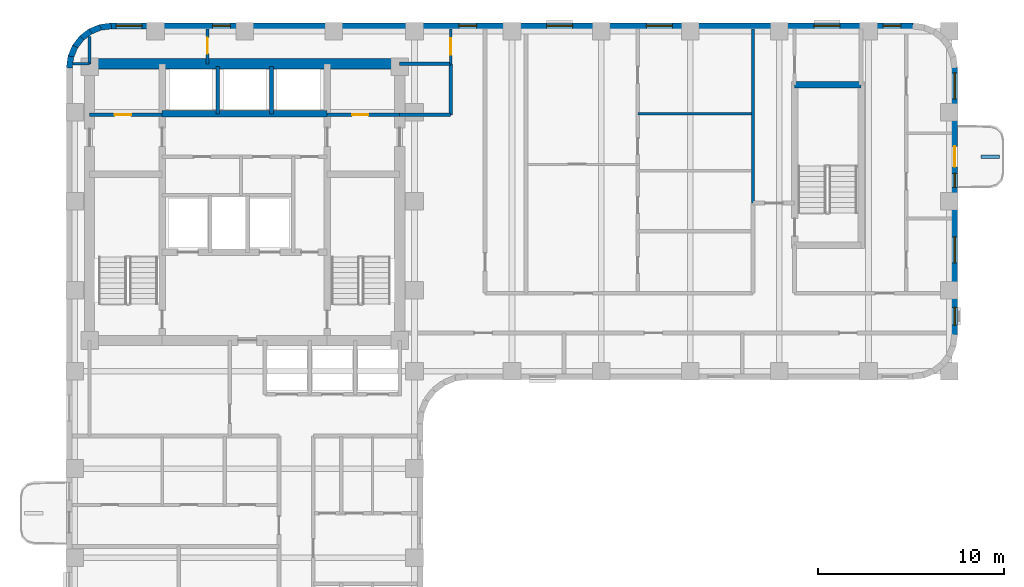
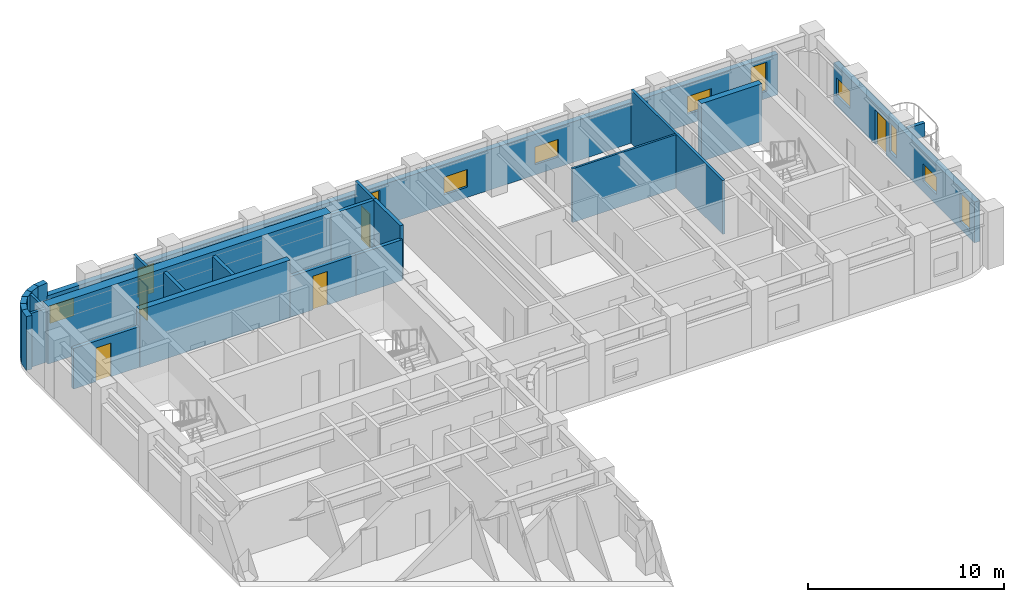
# One storey, part 6 of 10: 25 walls, 11 windows, 5 doors, 16 openings.
"""IFC4 building model written with IfcOpenShell, lengths in metres."""

from ifc_helpers import new_model, si_unit, direction, frame, frame_2d, origin, place, context, subcontext, project, spatial, rectangle, extrude, material, layer, layer_set, type_object, element, fill, save


model = new_model("IFC4")

# Units and contexts
model_context = context("Model", 3, precision=1e-05, world=origin(), true_north=direction((0.0, 1.0)))
body_context = subcontext(model_context, "Body", "Model", "MODEL_VIEW")
ifc_project = project(units=[si_unit("LENGTHUNIT", "METRE"), si_unit("AREAUNIT", "SQUARE_METRE"), si_unit("VOLUMEUNIT", "CUBIC_METRE"), si_unit("PLANEANGLEUNIT", "RADIAN"), si_unit("MASSUNIT", "GRAM", prefix="KILO")], contexts=[model_context])

# Site, building, storey
site_placement = place(None, origin())
site = spatial("IfcSite", under=ifc_project, at=site_placement, CompositionType="ELEMENT")
building_placement = place(site_placement, origin())
building = spatial("IfcBuilding", under=site, at=building_placement, Name="Orvandelia Arch Residences", CompositionType="ELEMENT")
storey_placement = place(building_placement, frame((0.0, 0.0, 132.39990234375)))
storey = spatial("IfcBuildingStorey", under=building, at=storey_placement, Name="L34", CompositionType="ELEMENT", Elevation=132.39990234375)

# Walls
ifc_material_1 = material(Name="Concrete C50/60", Category="concrete")
ifc_layer_1 = layer(ifc_material_1, 0.35009765625, Name="Concrete C50/60", Category="concrete")
ifc_layer_set_1 = layer_set([ifc_layer_1], Name="Concrete C50/60")
wall_type_1 = type_object("IfcWallType", Name="WL-CORE-350", PredefinedType="SHEAR", material=ifc_layer_set_1)
wall_1_placement = place(storey_placement, frame((9.9599609375, 43.10009765625, 0.0), z_axis=(0.0, 0.0, 1.0), x_axis=(1.0, 0.0, 0.0)))
element("IfcWall", 1, at=wall_1_placement, inside=storey, type_object=wall_type_1, Name="Core Shear Wall L34-HZ4", PredefinedType="SHEAR", context=body_context, shape_type="SweptSolid", body=[
    extrude(rectangle(XDim=8.880126953125, YDim=0.35009765625, at=frame_2d((4.43994140625, 0.0))), origin(), (0.0, 0.0, 1.0), 3.60009765625),
])
wall_2_placement = place(storey_placement, frame((44.02001953125, 44.659912109375, 0.0), z_axis=(0.0, 0.0, 1.0), x_axis=(1.0, 0.0, 0.0)))
element("IfcWall", 2, at=wall_2_placement, inside=storey, type_object=wall_type_1, Name="East Stair Core Shear Wall L34-N", PredefinedType="SHEAR", context=body_context, shape_type="SweptSolid", body=[
    extrude(rectangle(XDim=3.580078125, YDim=0.35009765625, at=frame_2d((1.7900390625, 0.0))), origin(), (0.0, 0.0, 1.0), 3.60009765625),
])
ifc_material_2 = material(Name="Concrete C60/75", Category="concrete")
ifc_layer_2 = layer(ifc_material_2, 0.550048828125, Name="Concrete C60/75", Category="concrete")
ifc_layer_set_2 = layer_set([ifc_layer_2], Name="Concrete C60/75")
wall_type_2 = type_object("IfcWallType", Name="WL-CORE-550", PredefinedType="SHEAR", material=ifc_layer_set_2)
wall_3_placement = place(storey_placement, frame((6.050048828125, 45.800048828125, 0.0), z_axis=(0.0, 0.0, 1.0), x_axis=(1.0, 0.0, 0.0)))
element("IfcWall", 3, at=wall_3_placement, inside=storey, type_object=wall_type_2, Name="Core Shear Wall L34-N", PredefinedType="SHEAR", context=body_context, shape_type="SweptSolid", body=[
    extrude(rectangle(XDim=16.699951171875, YDim=0.550048828125, at=frame_2d((8.35009765625, 0.0))), origin(), (0.0, 0.0, 1.0), 3.60009765625),
])
ifc_material_3 = material(Name="Fire-Rated Corridor Partition")
ifc_layer_3 = layer(ifc_material_3, 0.199951171875, Name="Fire-Rated Corridor Partition")
ifc_layer_set_3 = layer_set([ifc_layer_3], Name="Fire-Rated Corridor Partition")
wall_type_3 = type_object("IfcWallType", Name="WL-CORR-200", PredefinedType="PARTITIONING", material=ifc_layer_set_3)
wall_4_placement = place(storey_placement, frame((22.75, 45.800048828125, 0.0), z_axis=(0.0, 0.0, 1.0), x_axis=(1.0, 0.0, 0.0)))
element("IfcWall", 4, at=wall_4_placement, inside=storey, type_object=wall_type_3, Name="Interior Partition Wall WL-L34-NCE-S", PredefinedType="PARTITIONING", context=body_context, shape_type="SweptSolid", body=[
    extrude(rectangle(XDim=2.75, YDim=0.199951171875, at=frame_2d((1.375, 0.0))), origin(), (0.0, 0.0, 1.0), 3.360107421875),
])
wall_5_placement = place(storey_placement, frame((22.75, 43.050048828125, 0.0), z_axis=(0.0, 0.0, 1.0), x_axis=(1.0, 0.0, 0.0)))
element("IfcWall", 5, at=wall_5_placement, inside=storey, type_object=wall_type_3, Name="Interior Partition Wall WL-L34-ES-LS", PredefinedType="PARTITIONING", context=body_context, shape_type="SweptSolid", body=[
    extrude(rectangle(XDim=2.75, YDim=0.199951171875, at=frame_2d((1.375, 0.0))), origin(), (0.0, 0.0, 1.0), 2.5400390625),
])
wall_6_placement = place(storey_placement, frame((25.5, 43.050048828125, 0.0), z_axis=(0.0, 0.0, 1.0), x_axis=(0.0, 1.0, 0.0)))
element("IfcWall", 6, at=wall_6_placement, inside=storey, type_object=wall_type_3, Name="Interior Partition Wall WL-L34-ES-LW2", PredefinedType="PARTITIONING", context=body_context, shape_type="SweptSolid", body=[
    extrude(rectangle(XDim=2.75, YDim=0.199951171875, at=frame_2d((1.375, 0.0))), origin(), (0.0, 0.0, 1.0), 3.360107421875),
])
ifc_material_4 = material(Name="Precast concrete C40/50", Category="concrete")
ifc_layer_4 = layer(ifc_material_4, 0.320068359375, Name="Precast concrete C40/50", Category="concrete")
ifc_layer_set_4 = layer_set([ifc_layer_4], Name="Precast concrete C40/50")
wall_type_4 = type_object("IfcWallType", Name="WL-EXT-STONE-320", PredefinedType="STANDARD", material=ifc_layer_set_4)
for number, where, z_axis, x_axis, name in (
    (7, (4.95849609375, 45.5791015625, 0.0), (0.0, 0.0, 1.0), (0.130555323746, 0.9914410257, 0.0), "Coral-Limestone Precast Facade Wall L34-001"),
    (8, (5.029541015625, 46.159912109375, 0.0), (0.0, 0.0, 1.0), (0.382650053678, 0.92389335771, 0.0), "Coral-Limestone Precast Facade Wall L34-002"),
):
    element("IfcWall", number, at=place(storey_placement, frame(where, z_axis=z_axis, x_axis=x_axis)), inside=storey, type_object=wall_type_4, Name=name, PredefinedType="STANDARD", context=body_context, shape_type="SweptSolid", body=[
        extrude(rectangle(XDim=0.62646484375, YDim=0.320068359375, at=frame_2d((0.313232421875, 0.0))), origin(), (0.0, 0.0, 1.0), 3.360107421875),
    ])
wall_7_placement = place(storey_placement, frame((5.248291015625, 46.70263671875, 0.0), z_axis=(0.0, 0.0, 1.0), x_axis=(0.608938521285, 0.7932174212, 0.0)))
element("IfcWall", 9, at=wall_7_placement, inside=storey, type_object=wall_type_4, Name="Coral-Limestone Precast Facade Wall L34-003", PredefinedType="STANDARD", context=body_context, shape_type="SweptSolid", body=[
    extrude(rectangle(XDim=0.626708984375, YDim=0.320068359375, at=frame_2d((0.3134765625, 0.0))), origin(), (0.0, 0.0, 1.0), 3.360107421875),
])
wall_8_placement = place(storey_placement, frame((5.600341796875, 47.170166015625, 0.0), z_axis=(0.0, 0.0, 1.0), x_axis=(0.793405610854, 0.608693302629, 0.0)))
element("IfcWall", 10, at=wall_8_placement, inside=storey, type_object=wall_type_4, Name="Coral-Limestone Precast Facade Wall L34-004", PredefinedType="STANDARD", context=body_context, shape_type="SweptSolid", body=[
    extrude(rectangle(XDim=0.62646484375, YDim=0.320068359375, at=frame_2d((0.313232421875, 0.0))), origin(), (0.0, 0.0, 1.0), 3.360107421875),
])
wall_9_placement = place(storey_placement, frame((6.061279296875, 47.53076171875, 0.0), z_axis=(0.0, 0.0, 1.0), x_axis=(0.923836271867, 0.382787856107, 0.0)))
element("IfcWall", 11, at=wall_9_placement, inside=storey, type_object=wall_type_4, Name="Coral-Limestone Precast Facade Wall L34-005", PredefinedType="STANDARD", context=body_context, shape_type="SweptSolid", body=[
    extrude(rectangle(XDim=0.626220703125, YDim=0.320068359375, at=frame_2d((0.31298828125, 0.0))), origin(), (0.0, 0.0, 1.0), 3.360107421875),
])
wall_10_placement = place(storey_placement, frame((6.599609375, 47.759521484375, 0.0), z_axis=(0.0, 0.0, 1.0), x_axis=(0.991447664465, 0.130504898859, 0.0)))
element("IfcWall", 12, at=wall_10_placement, inside=storey, type_object=wall_type_4, Name="Coral-Limestone Precast Facade Wall L34-006", PredefinedType="STANDARD", context=body_context, shape_type="SweptSolid", body=[
    extrude(rectangle(XDim=0.626708984375, YDim=0.320068359375, at=frame_2d((0.3134765625, 0.0))), origin(), (0.0, 0.0, 1.0), 3.360107421875),
])

# Wall, openings, windows
wall_11_placement = place(storey_placement, frame((7.199951171875, 47.840087890625, 0.0), z_axis=(0.0, 0.0, 1.0), x_axis=(1.0, 0.0, 0.0)))
wall_11 = element("IfcWall", 13, at=wall_11_placement, inside=storey, type_object=wall_type_4, Name="Coral-Limestone Precast Facade Wall L34-007", PredefinedType="STANDARD", context=body_context, shape_type="SweptSolid", body=[
    extrude(rectangle(XDim=43.199951171875, YDim=0.320068359375, at=frame_2d((21.60009765625, 0.0))), origin(), (0.0, 0.0, 1.0), 2.5400390625),
])
opening_1_placement = place(wall_11_placement, frame((28.841064453125, 0.0, 0.64990234375)))
opening_1 = element("IfcOpeningElement", 14, at=opening_1_placement, cuts=wall_11, Name="Opening W10", PredefinedType="OPENING", context=body_context, shape_type="SweptSolid", body=[
    extrude(rectangle(XDim=1.39990234375, YDim=1.10009765625, at=frame_2d((0.699951171875, 0.550048828125))), frame((0.0, 0.169921875, 0.0), z_axis=(0.0, -1.0, 0.0), x_axis=(1.0, 0.0, 0.0)), (0.0, 0.0, 1.0), 0.340087890625),
])
opening_2_placement = place(wall_11_placement, frame((18.739990234375, 0.0, 0.449951171875)))
opening_2 = element("IfcOpeningElement", 15, at=opening_2_placement, cuts=wall_11, Name="Opening W4", PredefinedType="OPENING", context=body_context, shape_type="SweptSolid", body=[
    extrude(rectangle(XDim=0.949951171875, YDim=1.800048828125, at=frame_2d((0.47509765625, 0.89990234375))), frame((0.0, 0.169921875, 0.0), z_axis=(0.0, -1.0, 0.0), x_axis=(1.0, 0.0, 0.0)), (0.0, 0.0, 1.0), 0.340087890625),
])
opening_3_placement = place(wall_11_placement, frame((37.862548828125, 0.0, 0.64990234375)))
opening_3 = element("IfcOpeningElement", 16, at=opening_3_placement, cuts=wall_11, Name="Opening W10", PredefinedType="OPENING", context=body_context, shape_type="SweptSolid", body=[
    extrude(rectangle(XDim=1.39990234375, YDim=1.10009765625, at=frame_2d((0.699951171875, 0.550048828125))), frame((0.0, 0.169921875, 0.0), z_axis=(0.0, -1.0, 0.0), x_axis=(1.0, 0.0, 0.0)), (0.0, 0.0, 1.0), 0.340087890625),
])
opening_4_placement = place(wall_11_placement, frame((0.282470703125, 0.0, 0.64990234375)))
opening_4 = element("IfcOpeningElement", 17, at=opening_4_placement, cuts=wall_11, Name="Opening W10", PredefinedType="OPENING", context=body_context, shape_type="SweptSolid", body=[
    extrude(rectangle(XDim=1.39990234375, YDim=1.10009765625, at=frame_2d((0.699951171875, 0.550048828125))), frame((0.0, 0.169921875, 0.0), z_axis=(0.0, -1.0, 0.0), x_axis=(1.0, 0.0, 0.0)), (0.0, 0.0, 1.0), 0.340087890625),
])
opening_5_placement = place(wall_11_placement, frame((5.4775390625, 0.0, 0.449951171875)))
opening_5 = element("IfcOpeningElement", 18, at=opening_5_placement, cuts=wall_11, Name="Opening W4", PredefinedType="OPENING", context=body_context, shape_type="SweptSolid", body=[
    extrude(rectangle(XDim=0.949951171875, YDim=1.800048828125, at=frame_2d((0.47509765625, 0.89990234375))), frame((0.0, 0.169921875, 0.0), z_axis=(0.0, -1.0, 0.0), x_axis=(1.0, 0.0, 0.0)), (0.0, 0.0, 1.0), 0.340087890625),
])
opening_6_placement = place(wall_11_placement, frame((23.467529296875, 0.0, 0.64990234375)))
opening_6 = element("IfcOpeningElement", 19, at=opening_6_placement, cuts=wall_11, Name="Opening W10", PredefinedType="OPENING", context=body_context, shape_type="SweptSolid", body=[
    extrude(rectangle(XDim=1.39990234375, YDim=1.10009765625, at=frame_2d((0.699951171875, 0.550048828125))), frame((0.0, 0.169921875, 0.0), z_axis=(0.0, -1.0, 0.0), x_axis=(1.0, 0.0, 0.0)), (0.0, 0.0, 1.0), 0.340087890625),
])
opening_7_placement = place(wall_11_placement, frame((41.593994140625, 0.0, 0.449951171875)))
opening_7 = element("IfcOpeningElement", 20, at=opening_7_placement, cuts=wall_11, Name="Opening W4", PredefinedType="OPENING", context=body_context, shape_type="SweptSolid", body=[
    extrude(rectangle(XDim=0.949951171875, YDim=1.800048828125, at=frame_2d((0.47509765625, 0.89990234375))), frame((0.0, 0.169921875, 0.0), z_axis=(0.0, -1.0, 0.0), x_axis=(1.0, 0.0, 0.0)), (0.0, 0.0, 1.0), 0.340087890625),
])
ifc_material_5 = material(Name="Tempered Low-E Insulated Glazing", Category="glass")
window_type_1 = type_object("IfcWindowType", Name="WIN-CLR-1400x1100", PartitioningType="SINGLE_PANEL", PredefinedType="WINDOW", material=ifc_material_5)
window_1_placement = place(opening_1_placement, origin())
window_1 = element("IfcWindow", 21, at=window_1_placement, inside=storey, type_object=window_type_1, Name="Recessed Punched Window L34-001", OverallHeight=1.10009765625, OverallWidth=1.39990234375, PartitioningType="SINGLE_PANEL", PredefinedType="WINDOW", context=body_context, shape_type="SweptSolid", body=[
    extrude(rectangle(XDim=1.39990234375, YDim=1.10009765625, at=frame_2d((0.699951171875, 0.550048828125))), frame((0.0, 0.030029296875, 0.0), z_axis=(0.0, -1.0, 0.0), x_axis=(1.0, 0.0, 0.0)), (0.0, 0.0, 1.0), 0.06005859375),
])
fill(opening_1, window_1)
window_2_placement = place(opening_3_placement, origin())
window_2 = element("IfcWindow", 22, at=window_2_placement, inside=storey, type_object=window_type_1, Name="Recessed Punched Window L34-003", OverallHeight=1.10009765625, OverallWidth=1.39990234375, PartitioningType="SINGLE_PANEL", PredefinedType="WINDOW", context=body_context, shape_type="SweptSolid", body=[
    extrude(rectangle(XDim=1.39990234375, YDim=1.10009765625, at=frame_2d((0.699951171875, 0.550048828125))), frame((0.0, 0.030029296875, 0.0), z_axis=(0.0, -1.0, 0.0), x_axis=(1.0, 0.0, 0.0)), (0.0, 0.0, 1.0), 0.06005859375),
])
fill(opening_3, window_2)
window_3_placement = place(opening_4_placement, origin())
window_3 = element("IfcWindow", 23, at=window_3_placement, inside=storey, type_object=window_type_1, Name="Recessed Punched Window L34-004", OverallHeight=1.10009765625, OverallWidth=1.39990234375, PartitioningType="SINGLE_PANEL", PredefinedType="WINDOW", context=body_context, shape_type="SweptSolid", body=[
    extrude(rectangle(XDim=1.39990234375, YDim=1.10009765625, at=frame_2d((0.699951171875, 0.550048828125))), frame((0.0, 0.030029296875, 0.0), z_axis=(0.0, -1.0, 0.0), x_axis=(1.0, 0.0, 0.0)), (0.0, 0.0, 1.0), 0.06005859375),
])
fill(opening_4, window_3)
window_4_placement = place(opening_6_placement, origin())
window_4 = element("IfcWindow", 24, at=window_4_placement, inside=storey, type_object=window_type_1, Name="Recessed Punched Window L34-006", OverallHeight=1.10009765625, OverallWidth=1.39990234375, PartitioningType="SINGLE_PANEL", PredefinedType="WINDOW", context=body_context, shape_type="SweptSolid", body=[
    extrude(rectangle(XDim=1.39990234375, YDim=1.10009765625, at=frame_2d((0.699951171875, 0.550048828125))), frame((0.0, 0.030029296875, 0.0), z_axis=(0.0, -1.0, 0.0), x_axis=(1.0, 0.0, 0.0)), (0.0, 0.0, 1.0), 0.06005859375),
])
fill(opening_6, window_4)
window_type_2 = type_object("IfcWindowType", Name="WIN-RES-0950x1800", PartitioningType="SINGLE_PANEL", PredefinedType="WINDOW", material=ifc_material_5)
window_5_placement = place(opening_2_placement, origin())
window_5 = element("IfcWindow", 25, at=window_5_placement, inside=storey, type_object=window_type_2, Name="Recessed Punched Window L34-002", OverallHeight=1.800048828125, OverallWidth=0.949951171875, PartitioningType="SINGLE_PANEL", PredefinedType="WINDOW", context=body_context, shape_type="SweptSolid", body=[
    extrude(rectangle(XDim=0.949951171875, YDim=1.800048828125, at=frame_2d((0.47509765625, 0.89990234375))), frame((0.0, 0.030029296875, 0.0), z_axis=(0.0, -1.0, 0.0), x_axis=(1.0, 0.0, 0.0)), (0.0, 0.0, 1.0), 0.06005859375),
])
fill(opening_2, window_5)
window_6_placement = place(opening_5_placement, origin())
window_6 = element("IfcWindow", 26, at=window_6_placement, inside=storey, type_object=window_type_2, Name="Recessed Punched Window L34-005", OverallHeight=1.800048828125, OverallWidth=0.949951171875, PartitioningType="SINGLE_PANEL", PredefinedType="WINDOW", context=body_context, shape_type="SweptSolid", body=[
    extrude(rectangle(XDim=0.949951171875, YDim=1.800048828125, at=frame_2d((0.47509765625, 0.89990234375))), frame((0.0, 0.030029296875, 0.0), z_axis=(0.0, -1.0, 0.0), x_axis=(1.0, 0.0, 0.0)), (0.0, 0.0, 1.0), 0.06005859375),
])
fill(opening_5, window_6)
window_7_placement = place(opening_7_placement, origin())
window_7 = element("IfcWindow", 27, at=window_7_placement, inside=storey, type_object=window_type_2, Name="Recessed Punched Window L34-007", OverallHeight=1.800048828125, OverallWidth=0.949951171875, PartitioningType="SINGLE_PANEL", PredefinedType="WINDOW", context=body_context, shape_type="SweptSolid", body=[
    extrude(rectangle(XDim=0.949951171875, YDim=1.800048828125, at=frame_2d((0.47509765625, 0.89990234375))), frame((0.0, 0.030029296875, 0.0), z_axis=(0.0, -1.0, 0.0), x_axis=(1.0, 0.0, 0.0)), (0.0, 0.0, 1.0), 0.06005859375),
])
fill(opening_7, window_7)

# Wall, openings, door, windows
wall_12_placement = place(storey_placement, frame((52.639892578125, 45.60009765625, 0.0), z_axis=(0.0, 0.0, 1.0), x_axis=(0.0, -1.0, 0.0)))
wall_12 = element("IfcWall", 28, at=wall_12_placement, inside=storey, type_object=wall_type_4, Name="Coral-Limestone Precast Facade Wall L34-014", PredefinedType="STANDARD", context=body_context, shape_type="SweptSolid", body=[
    extrude(rectangle(XDim=14.400146484375, YDim=0.320068359375, at=frame_2d((7.2001953125, 0.0))), origin(), (0.0, 0.0, 1.0), 2.5400390625),
])
opening_8_placement = place(wall_12_placement, frame((4.25, 0.0, 0.0)))
opening_8 = element("IfcOpeningElement", 29, at=opening_8_placement, cuts=wall_12, Name="Opening BD1", PredefinedType="OPENING", context=body_context, shape_type="SweptSolid", body=[
    extrude(rectangle(XDim=1.10009765625, YDim=2.14990234375, at=frame_2d((0.550048828125, 1.074951171875))), frame((0.0, 0.169921875, 0.0), z_axis=(0.0, -1.0, 0.0), x_axis=(1.0, 0.0, 0.0)), (0.0, 0.0, 1.0), 0.340087890625),
])
opening_9_placement = place(wall_12_placement, frame((0.282470703125, 0.0, 0.64990234375)))
opening_9 = element("IfcOpeningElement", 30, at=opening_9_placement, cuts=wall_12, Name="Opening W10", PredefinedType="OPENING", context=body_context, shape_type="SweptSolid", body=[
    extrude(rectangle(XDim=1.39990234375, YDim=1.10009765625, at=frame_2d((0.699951171875, 0.550048828125))), frame((0.0, 0.169921875, 0.0), z_axis=(0.0, -1.0, 0.0), x_axis=(1.0, 0.0, 0.0)), (0.0, 0.0, 1.0), 0.340087890625),
])
opening_10_placement = place(wall_12_placement, frame((12.922607421875, 0.0, 0.449951171875)))
opening_10 = element("IfcOpeningElement", 31, at=opening_10_placement, cuts=wall_12, Name="Opening W4", PredefinedType="OPENING", context=body_context, shape_type="SweptSolid", body=[
    extrude(rectangle(XDim=0.949951171875, YDim=1.800048828125, at=frame_2d((0.47509765625, 0.89990234375))), frame((0.0, 0.169921875, 0.0), z_axis=(0.0, -1.0, 0.0), x_axis=(1.0, 0.0, 0.0)), (0.0, 0.0, 1.0), 0.340087890625),
])
opening_11_placement = place(wall_12_placement, frame((9.119384765625, 0.0, 0.64990234375)))
opening_11 = element("IfcOpeningElement", 32, at=opening_11_placement, cuts=wall_12, Name="Opening W10", PredefinedType="OPENING", context=body_context, shape_type="SweptSolid", body=[
    extrude(rectangle(XDim=1.39990234375, YDim=1.10009765625, at=frame_2d((0.699951171875, 0.550048828125))), frame((0.0, 0.169921875, 0.0), z_axis=(0.0, -1.0, 0.0), x_axis=(1.0, 0.0, 0.0)), (0.0, 0.0, 1.0), 0.340087890625),
])
opening_12_placement = place(wall_12_placement, frame((5.702392578125, 0.0, 0.449951171875)))
opening_12 = element("IfcOpeningElement", 33, at=opening_12_placement, cuts=wall_12, Name="Opening W11", PredefinedType="OPENING", context=body_context, shape_type="SweptSolid", body=[
    extrude(rectangle(XDim=0.75, YDim=1.800048828125, at=frame_2d((0.375, 0.89990234375))), frame((0.0, 0.169921875, 0.0), z_axis=(0.0, -1.0, 0.0), x_axis=(1.0, 0.0, 0.0)), (0.0, 0.0, 1.0), 0.340087890625),
])
ifc_material_6 = material(Name="Thermally Broken Aluminium Glazed Door", Category="aluminium")
door_type_1 = type_object("IfcDoorType", Name="DR-BAL-GLAZ-1100", OperationType="NOTDEFINED", PredefinedType="DOOR", material=ifc_material_6)
door_1_placement = place(opening_8_placement, origin())
door_1 = element("IfcDoor", 34, at=door_1_placement, inside=storey, type_object=door_type_1, Name="Tree Balcony Glazed Door BAL-L34-E1", OperationType="SINGLE_SWING_LEFT", OverallHeight=2.14990234375, OverallWidth=1.10009765625, PredefinedType="DOOR", context=body_context, shape_type="SweptSolid", body=[
    extrude(rectangle(XDim=1.10009765625, YDim=2.14990234375, at=frame_2d((0.550048828125, 1.074951171875))), frame((0.0, 0.02490234375, 0.0), z_axis=(0.0, -1.0, 0.0), x_axis=(1.0, 0.0, 0.0)), (0.0, 0.0, 1.0), 0.050048828125),
])
fill(opening_8, door_1)
window_type_3 = type_object("IfcWindowType", Name="WIN-BED-0750x1800", PartitioningType="SINGLE_PANEL", PredefinedType="WINDOW", material=ifc_material_5)
window_8_placement = place(opening_12_placement, origin())
window_8 = element("IfcWindow", 35, at=window_8_placement, inside=storey, type_object=window_type_3, Name="Recessed Punched Window L34-011", OverallHeight=1.800048828125, OverallWidth=0.75, PartitioningType="SINGLE_PANEL", PredefinedType="WINDOW", context=body_context, shape_type="SweptSolid", body=[
    extrude(rectangle(XDim=0.75, YDim=1.800048828125, at=frame_2d((0.375, 0.89990234375))), frame((0.0, 0.030029296875, 0.0), z_axis=(0.0, -1.0, 0.0), x_axis=(1.0, 0.0, 0.0)), (0.0, 0.0, 1.0), 0.06005859375),
])
fill(opening_12, window_8)
window_9_placement = place(opening_9_placement, origin())
window_9 = element("IfcWindow", 36, at=window_9_placement, inside=storey, type_object=window_type_1, Name="Recessed Punched Window L34-008", OverallHeight=1.10009765625, OverallWidth=1.39990234375, PartitioningType="SINGLE_PANEL", PredefinedType="WINDOW", context=body_context, shape_type="SweptSolid", body=[
    extrude(rectangle(XDim=1.39990234375, YDim=1.10009765625, at=frame_2d((0.699951171875, 0.550048828125))), frame((0.0, 0.030029296875, 0.0), z_axis=(0.0, -1.0, 0.0), x_axis=(1.0, 0.0, 0.0)), (0.0, 0.0, 1.0), 0.06005859375),
])
fill(opening_9, window_9)
window_10_placement = place(opening_11_placement, origin())
window_10 = element("IfcWindow", 37, at=window_10_placement, inside=storey, type_object=window_type_1, Name="Recessed Punched Window L34-010", OverallHeight=1.10009765625, OverallWidth=1.39990234375, PartitioningType="SINGLE_PANEL", PredefinedType="WINDOW", context=body_context, shape_type="SweptSolid", body=[
    extrude(rectangle(XDim=1.39990234375, YDim=1.10009765625, at=frame_2d((0.699951171875, 0.550048828125))), frame((0.0, 0.030029296875, 0.0), z_axis=(0.0, -1.0, 0.0), x_axis=(1.0, 0.0, 0.0)), (0.0, 0.0, 1.0), 0.06005859375),
])
fill(opening_11, window_10)
window_11_placement = place(opening_10_placement, origin())
window_11 = element("IfcWindow", 38, at=window_11_placement, inside=storey, type_object=window_type_2, Name="Recessed Punched Window L34-009", OverallHeight=1.800048828125, OverallWidth=0.949951171875, PartitioningType="SINGLE_PANEL", PredefinedType="WINDOW", context=body_context, shape_type="SweptSolid", body=[
    extrude(rectangle(XDim=0.949951171875, YDim=1.800048828125, at=frame_2d((0.47509765625, 0.89990234375))), frame((0.0, 0.030029296875, 0.0), z_axis=(0.0, -1.0, 0.0), x_axis=(1.0, 0.0, 0.0)), (0.0, 0.0, 1.0), 0.06005859375),
])
fill(opening_10, window_11)

# Walls
ifc_material_7 = material(Name="Lightweight Gypsum Stud Partition")
ifc_layer_5 = layer(ifc_material_7, 0.1201171875, Name="Lightweight Gypsum Stud Partition")
ifc_layer_set_5 = layer_set([ifc_layer_5], Name="Lightweight Gypsum Stud Partition")
wall_type_5 = type_object("IfcWallType", Name="WL-PART-120", PredefinedType="PARTITIONING", material=ifc_layer_set_5)
wall_13_placement = place(storey_placement, frame((35.576904296875, 43.10693359375, 0.0), z_axis=(0.0, 0.0, 1.0), x_axis=(1.0, 0.0, 0.0)))
element("IfcWall", 39, at=wall_13_placement, inside=storey, type_object=wall_type_5, Name="Interior Partition Wall WL-L34-U06-H2", PredefinedType="PARTITIONING", context=body_context, shape_type="SweptSolid", body=[
    extrude(rectangle(XDim=6.123046875, YDim=0.1201171875, at=frame_2d((3.0615234375, 0.0))), origin(), (0.0, 0.0, 1.0), 3.360107421875),
])
ifc_material_8 = material(Name="Acoustic Gypsum Stud Partition")
ifc_layer_6 = layer(ifc_material_8, 0.14990234375, Name="Acoustic Gypsum Stud Partition")
ifc_layer_set_6 = layer_set([ifc_layer_6], Name="Acoustic Gypsum Stud Partition")
wall_type_6 = type_object("IfcWallType", Name="WL-PART-150", PredefinedType="PARTITIONING", material=ifc_layer_set_6)
wall_14_placement = place(storey_placement, frame((5.159912109375, 45.800048828125, 0.0), z_axis=(0.0, 0.0, 1.0), x_axis=(1.0, 0.0, 0.0)))
element("IfcWall", 40, at=wall_14_placement, inside=storey, type_object=wall_type_6, Name="Interior Partition Wall WL-L34-WF-N", PredefinedType="PARTITIONING", context=body_context, shape_type="SweptSolid", body=[
    extrude(rectangle(XDim=0.89013671875, YDim=0.14990234375, at=frame_2d((0.445068359375, 0.0))), origin(), (0.0, 0.0, 1.0), 3.360107421875),
])

# Wall, opening, door
wall_15_placement = place(storey_placement, frame((25.5, 45.800048828125, 0.0), z_axis=(0.0, 0.0, 1.0), x_axis=(0.0, 1.0, 0.0)))
wall_15 = element("IfcWall", 41, at=wall_15_placement, inside=storey, type_object=wall_type_6, Name="Interior Partition Wall WL-L34-NCE-W", PredefinedType="PARTITIONING", context=body_context, shape_type="SweptSolid", body=[
    extrude(rectangle(XDim=1.8798828125, YDim=0.14990234375, at=frame_2d((0.93994140625, 0.0))), origin(), (0.0, 0.0, 1.0), 3.360107421875),
])
opening_13_placement = place(wall_15_placement, frame((0.5, 0.0, 0.0)))
opening_13 = element("IfcOpeningElement", 42, at=opening_13_placement, cuts=wall_15, Name="Opening D5", PredefinedType="OPENING", context=body_context, shape_type="SweptSolid", body=[
    extrude(rectangle(XDim=0.8798828125, YDim=2.10009765625, at=frame_2d((0.43994140625, 1.050048828125))), frame((0.0, 0.0849609375, 0.0), z_axis=(0.0, -1.0, 0.0), x_axis=(1.0, 0.0, 0.0)), (0.0, 0.0, 1.0), 0.169921875),
])
ifc_material_9 = material(Name="Painted Galvanised Steel Service Door", Category="steel")
door_type_2 = type_object("IfcDoorType", Name="DR-SRV-880", OperationType="NOTDEFINED", PredefinedType="DOOR", material=ifc_material_9)
door_2_placement = place(opening_13_placement, origin())
door_2 = element("IfcDoor", 43, at=door_2_placement, inside=storey, type_object=door_type_2, Name="DR-L34-NCS2", OperationType="SINGLE_SWING_LEFT", OverallHeight=2.10009765625, OverallWidth=0.8798828125, PredefinedType="DOOR", context=body_context, shape_type="SweptSolid", body=[
    extrude(rectangle(XDim=0.8798828125, YDim=2.10009765625, at=frame_2d((0.43994140625, 1.050048828125))), frame((0.0, 0.02490234375, 0.0), z_axis=(0.0, -1.0, 0.0), x_axis=(1.0, 0.0, 0.0)), (0.0, 0.0, 1.0), 0.050048828125),
])
fill(opening_13, door_2)

# Wall
wall_16_placement = place(storey_placement, frame((6.050048828125, 45.800048828125, 0.0), z_axis=(0.0, 0.0, 1.0), x_axis=(0.0, 1.0, 0.0)))
element("IfcWall", 44, at=wall_16_placement, inside=storey, type_object=wall_type_6, Name="Interior Partition Wall WL-L34-NC-W6", PredefinedType="PARTITIONING", context=body_context, shape_type="SweptSolid", body=[
    extrude(rectangle(XDim=1.4599609375, YDim=0.14990234375, at=frame_2d((0.72998046875, 0.0))), origin(), (0.0, 0.0, 1.0), 3.360107421875),
])

# Wall, opening, door
wall_17_placement = place(storey_placement, frame((12.39990234375, 45.800048828125, 0.0), z_axis=(0.0, 0.0, 1.0), x_axis=(0.0, 1.0, 0.0)))
wall_17 = element("IfcWall", 45, at=wall_17_placement, inside=storey, type_object=wall_type_6, Name="Interior Partition Wall WL-L34-NC-M", PredefinedType="PARTITIONING", context=body_context, shape_type="SweptSolid", body=[
    extrude(rectangle(XDim=1.8798828125, YDim=0.14990234375, at=frame_2d((0.93994140625, 0.0))), origin(), (0.0, 0.0, 1.0), 3.360107421875),
])
opening_14_placement = place(wall_17_placement, frame((0.550048828125, 0.0, 0.0)))
opening_14 = element("IfcOpeningElement", 46, at=opening_14_placement, cuts=wall_17, Name="Opening D4", PredefinedType="OPENING", context=body_context, shape_type="SweptSolid", body=[
    extrude(rectangle(XDim=0.860107421875, YDim=2.10009765625, at=frame_2d((0.43017578125, 1.050048828125))), frame((0.0, 0.0849609375, 0.0), z_axis=(0.0, -1.0, 0.0), x_axis=(1.0, 0.0, 0.0)), (0.0, 0.0, 1.0), 0.169921875),
])
ifc_material_10 = material(Name="Moisture-Sealed Timber Bathroom Door", Category="wood")
door_type_3 = type_object("IfcDoorType", Name="DR-WET-900", OperationType="NOTDEFINED", PredefinedType="DOOR", material=ifc_material_10)
door_3_placement = place(opening_14_placement, origin())
door_3 = element("IfcDoor", 47, at=door_3_placement, inside=storey, type_object=door_type_3, Name="DR-L34-NCS1", OperationType="SINGLE_SWING_LEFT", OverallHeight=2.10009765625, OverallWidth=0.860107421875, PredefinedType="DOOR", context=body_context, shape_type="SweptSolid", body=[
    extrude(rectangle(XDim=0.860107421875, YDim=2.10009765625, at=frame_2d((0.43017578125, 1.050048828125))), frame((0.0, 0.02490234375, 0.0), z_axis=(0.0, -1.0, 0.0), x_axis=(1.0, 0.0, 0.0)), (0.0, 0.0, 1.0), 0.050048828125),
])
fill(opening_14, door_3)

# Walls
wall_18_placement = place(storey_placement, frame((41.780029296875, 38.300048828125, 0.0), z_axis=(0.0, 0.0, 1.0), x_axis=(0.0, 1.0, 0.0)))
element("IfcWall", 48, at=wall_18_placement, inside=storey, type_object=wall_type_6, Name="Interior Partition Wall WL-L34-ES-SPKW", PredefinedType="PARTITIONING", context=body_context, shape_type="SweptSolid", body=[
    extrude(rectangle(XDim=9.3798828125, YDim=0.14990234375, at=frame_2d((4.68994140625, 0.0))), origin(), (0.0, 0.0, 1.0), 3.360107421875),
])
ifc_layer_7 = layer(ifc_material_4, 0.199951171875, Name="Precast concrete C40/50", Category="concrete")
ifc_layer_set_7 = layer_set([ifc_layer_7], Name="Precast concrete C40/50")
wall_type_7 = type_object("IfcWallType", Name="WL-PLANTER-200", PredefinedType="MOVABLE", material=ifc_layer_set_7)
wall_19_placement = place(storey_placement, frame((54.050048828125, 40.800048828125, 0.0), z_axis=(0.0, 0.0, 1.0), x_axis=(1.0, 0.0, 0.0)))
element("IfcWall", 49, at=wall_19_placement, inside=storey, type_object=wall_type_7, Name="Balcony Precast Tree Planter BAL-L34-E1", PredefinedType="MOVABLE", context=body_context, shape_type="SweptSolid", body=[
    extrude(rectangle(XDim=1.0, YDim=0.199951171875, at=frame_2d((0.5, 0.0))), origin(), (0.0, 0.0, 1.0), 0.85009765625),
])

# Wall, opening, door
ifc_material_11 = material(Name="Fire-Rated Shaft Enclosure Wall")
ifc_layer_8 = layer(ifc_material_11, 0.199951171875, Name="Fire-Rated Shaft Enclosure Wall")
ifc_layer_set_8 = layer_set([ifc_layer_8], Name="Fire-Rated Shaft Enclosure Wall")
wall_type_8 = type_object("IfcWallType", Name="WL-SHAFT-200", PredefinedType="POLYGONAL", material=ifc_layer_set_8)
wall_20_placement = place(storey_placement, frame((18.840087890625, 43.050048828125, 0.0), z_axis=(0.0, 0.0, 1.0), x_axis=(1.0, 0.0, 0.0)))
wall_20 = element("IfcWall", 50, at=wall_20_placement, inside=storey, type_object=wall_type_8, Name="Interior Partition Wall WL-L34-HLE-N", PredefinedType="POLYGONAL", context=body_context, shape_type="SweptSolid", body=[
    extrude(rectangle(XDim=3.909912109375, YDim=0.199951171875, at=frame_2d((1.955078125, 0.0))), origin(), (0.0, 0.0, 1.0), 2.5400390625),
])
opening_15_placement = place(wall_20_placement, frame((1.35009765625, 0.0, 0.0)))
opening_15 = element("IfcOpeningElement", 51, at=opening_15_placement, cuts=wall_20, Name="Opening D5", PredefinedType="OPENING", context=body_context, shape_type="SweptSolid", body=[
    extrude(rectangle(XDim=0.8798828125, YDim=2.10009765625, at=frame_2d((0.43994140625, 1.050048828125))), frame((0.0, 0.10986328125, 0.0), z_axis=(0.0, -1.0, 0.0), x_axis=(1.0, 0.0, 0.0)), (0.0, 0.0, 1.0), 0.219970703125),
])
door_4_placement = place(opening_15_placement, origin())
door_4 = element("IfcDoor", 52, at=door_4_placement, inside=storey, type_object=door_type_2, Name="DR-L34-CSB1", OperationType="SINGLE_SWING_LEFT", OverallHeight=2.10009765625, OverallWidth=0.8798828125, PredefinedType="DOOR", context=body_context, shape_type="SweptSolid", body=[
    extrude(rectangle(XDim=0.8798828125, YDim=2.10009765625, at=frame_2d((0.43994140625, 1.050048828125))), frame((0.0, 0.02490234375, 0.0), z_axis=(0.0, -1.0, 0.0), x_axis=(1.0, 0.0, 0.0)), (0.0, 0.0, 1.0), 0.050048828125),
])
fill(opening_15, door_4)

wall_21_placement = place(storey_placement, frame((6.050048828125, 43.050048828125, 0.0), z_axis=(0.0, 0.0, 1.0), x_axis=(1.0, 0.0, 0.0)))
wall_21 = element("IfcWall", 53, at=wall_21_placement, inside=storey, type_object=wall_type_8, Name="Interior Partition Wall WL-L34-HLW-N", PredefinedType="POLYGONAL", context=body_context, shape_type="SweptSolid", body=[
    extrude(rectangle(XDim=3.909912109375, YDim=0.199951171875, at=frame_2d((1.955078125, 0.0))), origin(), (0.0, 0.0, 1.0), 2.5400390625),
])
opening_16_placement = place(wall_21_placement, frame((1.35009765625, 0.0, 0.0)))
opening_16 = element("IfcOpeningElement", 54, at=opening_16_placement, cuts=wall_21, Name="Opening D5", PredefinedType="OPENING", context=body_context, shape_type="SweptSolid", body=[
    extrude(rectangle(XDim=0.8798828125, YDim=2.10009765625, at=frame_2d((0.43994140625, 1.050048828125))), frame((0.0, 0.10986328125, 0.0), z_axis=(0.0, -1.0, 0.0), x_axis=(1.0, 0.0, 0.0)), (0.0, 0.0, 1.0), 0.219970703125),
])
door_5_placement = place(opening_16_placement, origin())
door_5 = element("IfcDoor", 55, at=door_5_placement, inside=storey, type_object=door_type_2, Name="Riser Service Door L34", OperationType="SINGLE_SWING_RIGHT", OverallHeight=2.10009765625, OverallWidth=0.8798828125, PredefinedType="DOOR", context=body_context, shape_type="SweptSolid", body=[
    extrude(rectangle(XDim=0.8798828125, YDim=2.10009765625, at=frame_2d((0.43994140625, 1.050048828125))), frame((0.0, 0.02490234375, 0.0), z_axis=(0.0, -1.0, 0.0), x_axis=(1.0, 0.0, 0.0)), (0.0, 0.0, 1.0), 0.050048828125),
])
fill(opening_16, door_5)

# Walls
for number, where, z_axis, x_axis, name in (
    (56, (12.949951171875, 43.10009765625, 0.0), (0.0, 0.0, 1.0), (0.0, 1.0, 0.0), "Interior Partition Wall WL-L34-PHD1"),
    (57, (15.85009765625, 43.10009765625, 0.0), (0.0, 0.0, 1.0), (0.0, 1.0, 0.0), "Interior Partition Wall WL-L34-PHD2"),
):
    element("IfcWall", number, at=place(storey_placement, frame(where, z_axis=z_axis, x_axis=x_axis)), inside=storey, type_object=wall_type_8, Name=name, PredefinedType="POLYGONAL", context=body_context, shape_type="SweptSolid", body=[
        extrude(rectangle(XDim=2.5498046875, YDim=0.199951171875, at=frame_2d((1.27490234375, 0.0))), origin(), (0.0, 0.0, 1.0), 3.360107421875),
    ])

save(model, "model.ifc")
